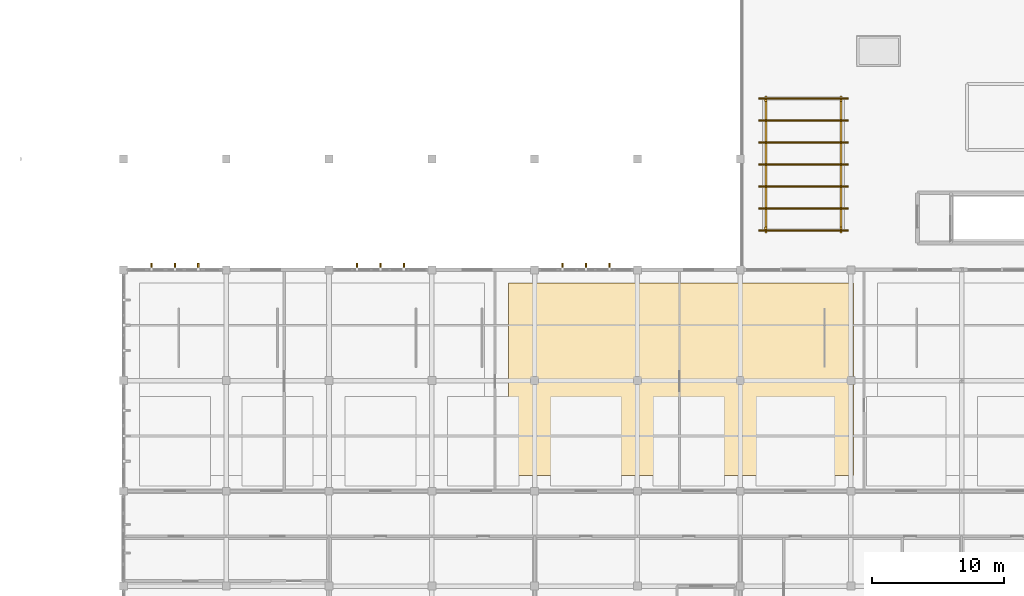
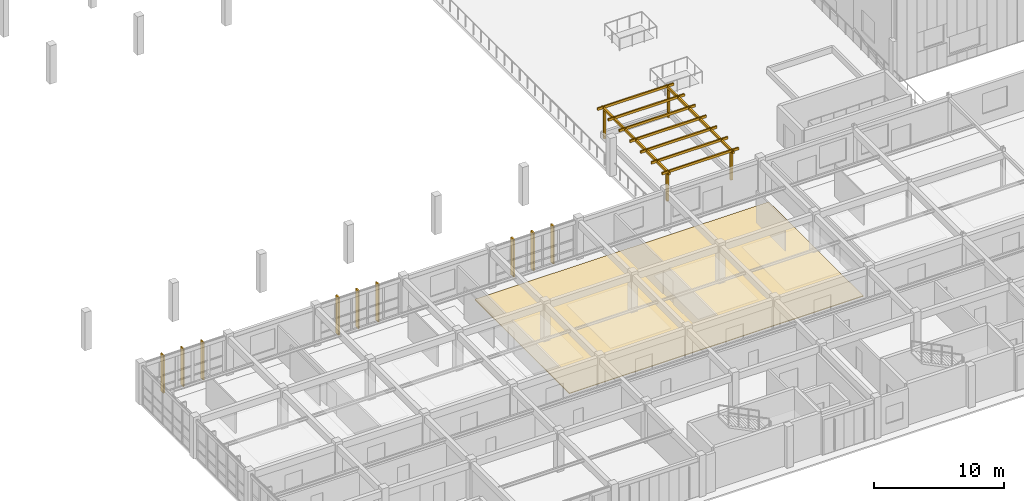
# One storey, part 59 of 67: 23 coverings.
"""IFC4 building model written with IfcOpenShell, lengths in metres."""

from ifc_helpers import new_model, si_unit, direction, frame, origin, origin_2d, place, context, subcontext, project, spatial, polyline, rectangle, outline, extrude, material, layer, layer_set, type_object, element, save


model = new_model("IFC4")

# Units and contexts
model_context = context("Model", 3, precision=1e-05, world=origin(), true_north=direction((0.0, 1.0)))
body_context = subcontext(model_context, "Body", "Model", "MODEL_VIEW")
ifc_project = project(units=[si_unit("LENGTHUNIT", "METRE"), si_unit("AREAUNIT", "SQUARE_METRE"), si_unit("VOLUMEUNIT", "CUBIC_METRE"), si_unit("PLANEANGLEUNIT", "RADIAN"), si_unit("MASSUNIT", "GRAM", prefix="KILO")], contexts=[model_context])

# Site, building, storey
site_placement = place(None, origin())
site = spatial("IfcSite", under=ifc_project, at=site_placement, CompositionType="ELEMENT")
building_placement = place(site_placement, origin())
building = spatial("IfcBuilding", under=site, at=building_placement, Name="Tizgana Railside Sports Hall", CompositionType="ELEMENT")
storey_placement = place(building_placement, frame((0.0, 0.0, 12.0)))
storey = spatial("IfcBuildingStorey", under=building, at=storey_placement, Name="L02", CompositionType="ELEMENT", Elevation=12.0)

# Coverings
ifc_material_1 = material(Name="Glulam GL28h", Category="wood")
ifc_layer_1 = layer(ifc_material_1, 0.139892578125, Name="Glulam GL28h")
ifc_layer_set_1 = layer_set([ifc_layer_1], Name="Glulam GL28h")
covering_type_1 = type_object("IfcCoveringType", Name="Mass-Timber Brise-Soleil & Pergola Fin", PredefinedType="CLADDING", material=ifc_layer_set_1)
for number, where, z_axis, x_axis, name in (
    (1, (56.550048828125, 35.550048828125, -0.02001953125), (0.0, 0.0, 1.0), (1.0, 0.0, 0.0), "L02 V4 Roof Garden Pergola Post"),
    (2, (56.550048828125, 45.25, -0.02001953125), (0.0, 0.0, 1.0), (1.0, 0.0, 0.0), "L02 V4 Roof Garden Pergola Post"),
    (3, (62.25, 35.550048828125, -0.02001953125), (0.0, 0.0, 1.0), (1.0, 0.0, 0.0), "L02 V4 Roof Garden Pergola Post"),
    (4, (62.25, 45.25, -0.02001953125), (0.0, 0.0, 1.0), (1.0, 0.0, 0.0), "L02 V4 Roof Garden Pergola Post"),
):
    element("IfcCovering", number, at=place(storey_placement, frame(where, z_axis=z_axis, x_axis=x_axis)), inside=storey, type_object=covering_type_1, Name=name, PredefinedType="CLADDING", context=body_context, shape_type="SweptSolid", body=[
        extrude(rectangle(XDim=0.179931640625, YDim=0.179931640625, at=origin_2d()), origin(), (0.0, 0.0, 1.0), 2.669921875),
    ])
for number, where, z_axis, x_axis, name in (
    (5, (56.550048828125, 40.39990234375, 2.6298828125), (0.0, 0.0, 1.0), (1.0, 0.0, 0.0), "L02 V4 Roof Garden Pergola Beam"),
    (6, (62.25, 40.39990234375, 2.6298828125), (0.0, 0.0, 1.0), (1.0, 0.0, 0.0), "L02 V4 Roof Garden Pergola Beam"),
):
    element("IfcCovering", number, at=place(storey_placement, frame(where, z_axis=z_axis, x_axis=x_axis)), inside=storey, type_object=covering_type_1, Name=name, PredefinedType="CLADDING", context=body_context, shape_type="SweptSolid", body=[
        extrude(rectangle(XDim=0.159912109375, YDim=10.39990234375, at=origin_2d()), origin(), (0.0, 0.0, 1.0), 0.219970703125),
    ])
for number, where, z_axis, x_axis, name in (
    (7, (59.39990234375, 35.39990234375, 2.72021484375), (0.0, 0.0, 1.0), (1.0, 0.0, 0.0), "L02 V4 Roof Garden Pergola Rafter"),
    (8, (59.39990234375, 37.066650390625, 2.72021484375), (0.0, 0.0, 1.0), (1.0, 0.0, 0.0), "L02 V4 Roof Garden Pergola Rafter"),
    (9, (59.39990234375, 38.7333984375, 2.72021484375), (0.0, 0.0, 1.0), (1.0, 0.0, 0.0), "L02 V4 Roof Garden Pergola Rafter"),
    (10, (59.39990234375, 40.39990234375, 2.72021484375), (0.0, 0.0, 1.0), (1.0, 0.0, 0.0), "L02 V4 Roof Garden Pergola Rafter"),
    (11, (59.39990234375, 42.066650390625, 2.72021484375), (0.0, 0.0, 1.0), (1.0, 0.0, 0.0), "L02 V4 Roof Garden Pergola Rafter"),
    (12, (59.39990234375, 43.7333984375, 2.72021484375), (0.0, 0.0, 1.0), (1.0, 0.0, 0.0), "L02 V4 Roof Garden Pergola Rafter"),
    (13, (59.39990234375, 45.39990234375, 2.72021484375), (0.0, 0.0, 1.0), (1.0, 0.0, 0.0), "L02 V4 Roof Garden Pergola Rafter"),
):
    element("IfcCovering", number, at=place(storey_placement, frame(where, z_axis=z_axis, x_axis=x_axis)), inside=storey, type_object=covering_type_1, Name=name, PredefinedType="CLADDING", context=body_context, shape_type="SweptSolid", body=[
        extrude(rectangle(XDim=6.800048828125, YDim=0.1201171875, at=origin_2d()), origin(), (0.0, 0.0, 1.0), 0.219970703125),
    ])
for number, where, z_axis, x_axis, name in (
    (14, (9.927490234375, 32.679931640625, 0.0400390625), (0.0, 0.0, 1.0), (1.0, 0.0, 0.0), "L02 Timber Brise-Soleil Fin"),
    (15, (11.699951171875, 32.679931640625, 0.0400390625), (0.0, 0.0, 1.0), (1.0, 0.0, 0.0), "L02 Timber Brise-Soleil Fin"),
    (16, (13.472412109375, 32.679931640625, 0.0400390625), (0.0, 0.0, 1.0), (1.0, 0.0, 0.0), "L02 Timber Brise-Soleil Fin"),
    (17, (25.527587890625, 32.679931640625, 0.0400390625), (0.0, 0.0, 1.0), (1.0, 0.0, 0.0), "L02 Timber Brise-Soleil Fin"),
    (18, (27.300048828125, 32.679931640625, 0.0400390625), (0.0, 0.0, 1.0), (1.0, 0.0, 0.0), "L02 Timber Brise-Soleil Fin"),
    (19, (29.072509765625, 32.679931640625, 0.0400390625), (0.0, 0.0, 1.0), (1.0, 0.0, 0.0), "L02 Timber Brise-Soleil Fin"),
    (20, (41.12744140625, 32.679931640625, 0.0400390625), (0.0, 0.0, 1.0), (1.0, 0.0, 0.0), "L02 Timber Brise-Soleil Fin"),
    (21, (42.89990234375, 32.679931640625, 0.0400390625), (0.0, 0.0, 1.0), (1.0, 0.0, 0.0), "L02 Timber Brise-Soleil Fin"),
    (22, (44.672607421875, 32.679931640625, 0.0400390625), (0.0, 0.0, 1.0), (1.0, 0.0, 0.0), "L02 Timber Brise-Soleil Fin"),
):
    element("IfcCovering", number, at=place(storey_placement, frame(where, z_axis=z_axis, x_axis=x_axis)), inside=storey, type_object=covering_type_1, Name=name, PredefinedType="CLADDING", context=body_context, shape_type="SweptSolid", body=[
        extrude(rectangle(XDim=0.1201171875, YDim=0.43994140625, at=origin_2d()), origin(), (0.0, 0.0, 1.0), 3.56005859375),
    ])
ifc_material_2 = material(Name="Sprung beech timber", Category="wood")
ifc_layer_2 = layer(ifc_material_2, 0.06494140625, Name="Sprung beech timber")
ifc_layer_set_2 = layer_set([ifc_layer_2], Name="Sprung beech timber")
covering_type_2 = type_object("IfcCoveringType", Name="Sprung Beech Hardwood Court Floor", PredefinedType="FLOORING", material=ifc_layer_set_2)
covering_placement = place(storey_placement, origin())
element("IfcCovering", 23, at=covering_placement, inside=storey, type_object=covering_type_2, Name="L02 Sprung Sports Floor FLR-0006", PredefinedType="FLOORING", context=body_context, shape_type="SweptSolid", body=[
    extrude(outline(polyline([(37.0, 16.800048828125), (63.199951171875, 16.800048828125), (63.199951171875, 31.39990234375), (37.0, 31.39990234375), (37.0, 16.800048828125)])), origin(), (0.0, 0.0, 1.0), 0.06494140625),
])

save(model, "model.ifc")
